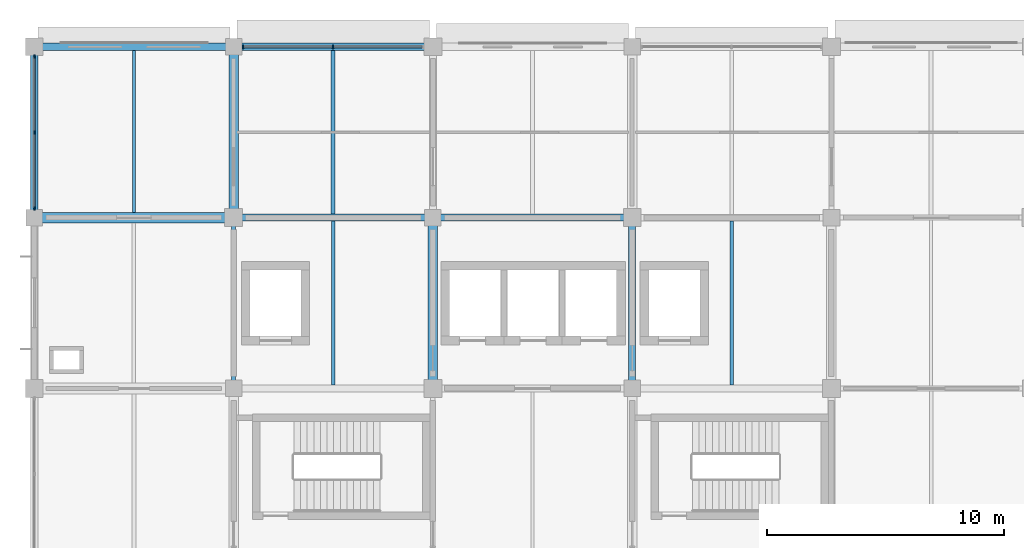
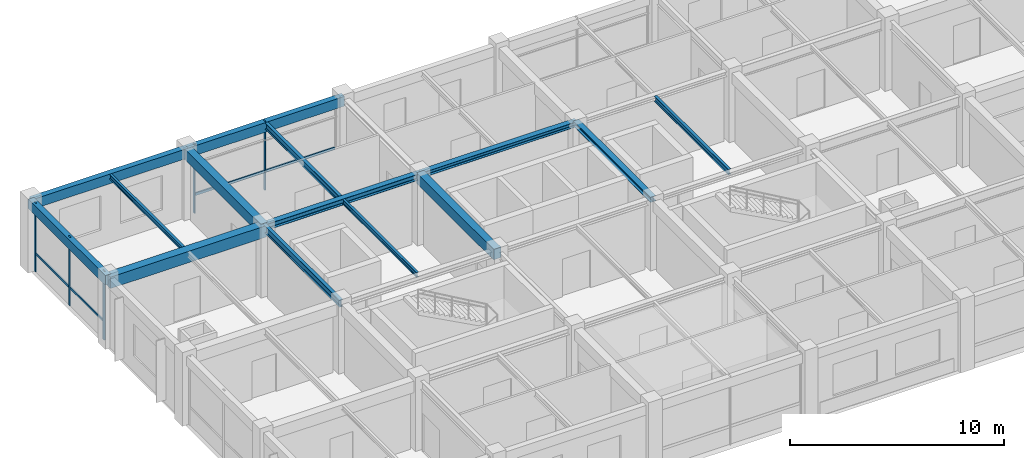
# One storey, part 4 of 14: 14 beams, 9 members, 2 elements without a shape of their own.
"""IFC4 building model written with IfcOpenShell, lengths in metres."""

from ifc_helpers import new_model, si_unit, derived_unit, direction, frame, origin, origin_2d, place, context, subcontext, project, spatial, rectangle, i_section, extrude, material, material_profile, profile_set, type_object, element, aggregate, save


model = new_model("IFC4")

# Units and contexts
model_context = context("Model", 3, precision=1e-05, world=origin(), true_north=direction((0.0, 1.0)))
body_context = subcontext(model_context, "Body", "Model", "MODEL_VIEW")
ifc_project = project(units=[si_unit("LENGTHUNIT", "METRE"), si_unit("AREAUNIT", "SQUARE_METRE"), si_unit("VOLUMEUNIT", "CUBIC_METRE"), si_unit("PLANEANGLEUNIT", "RADIAN"), si_unit("MASSUNIT", "GRAM", prefix="KILO"), derived_unit("THERMALTRANSMITTANCEUNIT", [(si_unit("MASSUNIT", "GRAM", prefix="KILO"), 1), (si_unit("TIMEUNIT", "SECOND"), -3), (si_unit("THERMODYNAMICTEMPERATUREUNIT", "KELVIN"), -1)])], contexts=[model_context])

# Site, building, storey
site_placement = place(None, origin())
site = spatial("IfcSite", under=ifc_project, at=site_placement, CompositionType="ELEMENT")
building_placement = place(site_placement, origin())
building = spatial("IfcBuilding", under=site, at=building_placement, Name="Veldstrom Oceanarium and Marine Research Institute", CompositionType="ELEMENT")
storey_placement = place(building_placement, frame((0.0, 0.0, 35.39990234375)))
storey = spatial("IfcBuildingStorey", under=building, at=storey_placement, Name="L07", CompositionType="ELEMENT", Elevation=35.39990234375)

# Curtain wall, members
ifc_material_1 = material(Name="Anodised Aluminium Framing", Category="aluminium")
curtain_wall_type_1 = type_object("IfcCurtainWallType", Name="ARC-CW-CW08", PredefinedType="USERDEFINED", material=ifc_material_1)
curtain_wall_1_placement = place(storey_placement, origin())
curtain_wall_1 = element("IfcCurtainWall", 1, at=curtain_wall_1_placement, inside=storey, type_object=curtain_wall_type_1, Name="Curtain Wall CW08 CW-L07-114", ObjectType="Curtain wall", PredefinedType="USERDEFINED")
ifc_material_2 = material(Name="Anodised Aluminium Framing", Category="aluminium")
ifc_material_profile_1 = material_profile(ifc_material_2, rectangle(XDim=0.06494140625, YDim=0.14990234375, at=origin_2d()), Name="ALU-MUL-65x150")
ifc_profile_set_1 = profile_set([ifc_material_profile_1], Name="Anodised Aluminium Framing")
member_type_1 = type_object("IfcMemberType", Name="ARC-MUL-ML2", PredefinedType="MULLION", material=ifc_profile_set_1)
member_1_placement = place(storey_placement, frame((67.199951171875, 65.18994140625, 0.0), z_axis=(0.0, 0.0, 1.0), x_axis=(1.0, 0.0, 0.0)))
member_1 = element("IfcMember", 2, at=member_1_placement, type_object=member_type_1, Name="Curtain Wall Mullion CW-L07-114-MUL-1", PredefinedType="MULLION", context=body_context, shape_type="SweptSolid", body=[
    extrude(rectangle(XDim=0.06494140625, YDim=0.14990234375, at=origin_2d()), origin(), (0.0, 0.0, 1.0), 3.920166015625),
])
member_2_placement = place(storey_placement, frame((67.199951171875, 68.387451171875, 0.0), z_axis=(0.0, 0.0, 1.0), x_axis=(1.0, 0.0, 0.0)))
member_2 = element("IfcMember", 3, at=member_2_placement, type_object=member_type_1, Name="Curtain Wall Mullion CW-L07-114-MUL-2", PredefinedType="MULLION", context=body_context, shape_type="SweptSolid", body=[
    extrude(rectangle(XDim=0.06494140625, YDim=0.14990234375, at=origin_2d()), origin(), (0.0, 0.0, 1.0), 3.920166015625),
])
member_3_placement = place(storey_placement, frame((67.199951171875, 71.5849609375, 0.0), z_axis=(0.0, 0.0, 1.0), x_axis=(1.0, 0.0, 0.0)))
member_3 = element("IfcMember", 4, at=member_3_placement, type_object=member_type_1, Name="Curtain Wall Mullion CW-L07-114-MUL-3", PredefinedType="MULLION", context=body_context, shape_type="SweptSolid", body=[
    extrude(rectangle(XDim=0.06494140625, YDim=0.14990234375, at=origin_2d()), origin(), (0.0, 0.0, 1.0), 3.920166015625),
])

ifc_material_3 = material(Name="Anodised Aluminium Framing", Category="aluminium")
curtain_wall_type_2 = type_object("IfcCurtainWallType", Name="ARC-CW-CW04", PredefinedType="USERDEFINED", material=ifc_material_3)
curtain_wall_2_placement = place(storey_placement, origin())
curtain_wall_2 = element("IfcCurtainWall", 5, at=curtain_wall_2_placement, inside=storey, type_object=curtain_wall_type_2, Name="Curtain Wall CW04 CW-L07-115", ObjectType="Curtain wall", PredefinedType="USERDEFINED")
member_4_placement = place(storey_placement, frame((75.989990234375, 72.0, 0.0), z_axis=(0.0, 0.0, 1.0), x_axis=(1.0, 0.0, 0.0)))
member_4 = element("IfcMember", 6, at=member_4_placement, type_object=member_type_1, Name="Curtain Wall Mullion CW-L07-115-MUL-1", PredefinedType="MULLION", context=body_context, shape_type="SweptSolid", body=[
    extrude(rectangle(XDim=0.06494140625, YDim=0.14990234375, at=origin_2d()), origin(), (0.0, 0.0, 1.0), 3.920166015625),
])
member_5_placement = place(storey_placement, frame((79.78759765625, 72.0, 0.0), z_axis=(0.0, 0.0, 1.0), x_axis=(1.0, 0.0, 0.0)))
member_5 = element("IfcMember", 7, at=member_5_placement, type_object=member_type_1, Name="Curtain Wall Mullion CW-L07-115-MUL-2", PredefinedType="MULLION", context=body_context, shape_type="SweptSolid", body=[
    extrude(rectangle(XDim=0.06494140625, YDim=0.14990234375, at=origin_2d()), origin(), (0.0, 0.0, 1.0), 3.920166015625),
])
ifc_material_4 = material(Name="Anodised Aluminium Framing", Category="aluminium")
ifc_material_profile_2 = material_profile(ifc_material_4, rectangle(XDim=0.074951171875, YDim=0.14990234375, at=origin_2d()), Name="ALU-TRN-75x150")
ifc_profile_set_2 = profile_set([ifc_material_profile_2], Name="Anodised Aluminium Framing")
member_type_2 = type_object("IfcMemberType", Name="ARC-TRN-TR1", PredefinedType="USERDEFINED", material=ifc_profile_set_2)
member_6_placement = place(storey_placement, frame((76.030029296875, 72.0, 1.050048828125), z_axis=(1.0, 0.0, 0.0), x_axis=(0.0, 1.0, 0.0)))
member_6 = element("IfcMember", 8, at=member_6_placement, type_object=member_type_2, Name="Curtain Wall Transom CW-L07-115-TRN-1", ObjectType="Transom", PredefinedType="USERDEFINED", context=body_context, shape_type="SweptSolid", body=[
    extrude(rectangle(XDim=0.074951171875, YDim=0.14990234375, at=origin_2d()), origin(), (0.0, 0.0, 1.0), 3.717529296875),
])
member_7_placement = place(storey_placement, frame((79.827392578125, 72.0, 1.050048828125), z_axis=(1.0, 0.0, 0.0), x_axis=(0.0, 1.0, 0.0)))
member_7 = element("IfcMember", 9, at=member_7_placement, type_object=member_type_2, Name="Curtain Wall Transom CW-L07-115-TRN-2", ObjectType="Transom", PredefinedType="USERDEFINED", context=body_context, shape_type="SweptSolid", body=[
    extrude(rectangle(XDim=0.074951171875, YDim=0.14990234375, at=origin_2d()), origin(), (0.0, 0.0, 1.0), 3.717529296875),
])
aggregate(curtain_wall_2, [member_4, member_5, member_6, member_7])

# Member
ifc_material_5 = material(Name="Anodised Aluminium Framing", Category="aluminium")
ifc_material_profile_3 = material_profile(ifc_material_5, rectangle(XDim=0.06494140625, YDim=0.1201171875, at=origin_2d()), Name="ALU-TRN-65x120")
ifc_profile_set_3 = profile_set([ifc_material_profile_3], Name="Anodised Aluminium Framing")
member_type_3 = type_object("IfcMemberType", Name="ARC-TRN-TR2", PredefinedType="USERDEFINED", material=ifc_profile_set_3)
member_8_placement = place(storey_placement, frame((67.199951171875, 65.22998046875, 1.050048828125), z_axis=(0.0, 1.0, 0.0), x_axis=(-1.0, 0.0, 0.0)))
member_8 = element("IfcMember", 10, at=member_8_placement, type_object=member_type_3, Name="Curtain Wall Transom CW-L07-114-TRN-1", ObjectType="Transom", PredefinedType="USERDEFINED", context=body_context, shape_type="SweptSolid", body=[
    extrude(rectangle(XDim=0.06494140625, YDim=0.1201171875, at=origin_2d()), origin(), (0.0, 0.0, 1.0), 3.117431640625),
])

member_9_placement = place(storey_placement, frame((67.199951171875, 68.427490234375, 1.050048828125), z_axis=(0.0, 1.0, 0.0), x_axis=(-1.0, 0.0, 0.0)))
member_9 = element("IfcMember", 11, at=member_9_placement, type_object=member_type_3, Name="Curtain Wall Transom CW-L07-114-TRN-2", ObjectType="Transom", PredefinedType="USERDEFINED", context=body_context, shape_type="SweptSolid", body=[
    extrude(rectangle(XDim=0.06494140625, YDim=0.1201171875, at=origin_2d()), origin(), (0.0, 0.0, 1.0), 3.117431640625),
])

aggregate(curtain_wall_1, [member_1, member_2, member_3, member_8, member_9])

# Beams
ifc_material_6 = material(Name="Concrete C40/50", Category="concrete")
ifc_material_profile_4 = material_profile(ifc_material_6, rectangle(XDim=0.449951171875, YDim=0.64990234375, at=origin_2d()), Name="RC-BM-450x650")
ifc_profile_set_4 = profile_set([ifc_material_profile_4], Name="Concrete C40/50")
beam_type_1 = type_object("IfcBeamType", Name="STR-BM-B05", PredefinedType="BEAM", material=ifc_profile_set_4)
beam_1_placement = place(storey_placement, frame((67.199951171875, 64.800048828125, 3.590087890625), z_axis=(1.0, 0.0, 0.0), x_axis=(0.0, 1.0, 0.0)))
element("IfcBeam", 12, at=beam_1_placement, inside=storey, type_object=beam_type_1, Name="Primary Beam B05 L07-2335", PredefinedType="BEAM", context=body_context, shape_type="SweptSolid", body=[
    extrude(rectangle(XDim=0.449951171875, YDim=0.64990234375, at=origin_2d()), origin(), (0.0, 0.0, 1.0), 8.400146484375),
])
ifc_material_7 = material(Name="Concrete C40/50", Category="concrete")
ifc_material_profile_5 = material_profile(ifc_material_7, rectangle(XDim=0.39990234375, YDim=0.60009765625, at=origin_2d()), Name="RC-BM-400x600")
ifc_profile_set_5 = profile_set([ifc_material_profile_5], Name="Concrete C40/50")
beam_type_2 = type_object("IfcBeamType", Name="STR-BM-B06", PredefinedType="BEAM", material=ifc_profile_set_5)
for number, where, z_axis, x_axis, name in (
    (13, (75.60009765625, 64.800048828125, 3.614990234375), (0.0, 1.0, 0.0), (-1.0, 0.0, 0.0), "Primary Beam B06 L07-2368"),
    (14, (84.0, 57.60009765625, 3.614990234375), (0.0, 1.0, 0.0), (-1.0, 0.0, 0.0), "Primary Beam B06 L07-2371"),
):
    element("IfcBeam", number, at=place(storey_placement, frame(where, z_axis=z_axis, x_axis=x_axis)), inside=storey, type_object=beam_type_2, Name=name, PredefinedType="BEAM", context=body_context, shape_type="SweptSolid", body=[
        extrude(rectangle(XDim=0.39990234375, YDim=0.60009765625, at=origin_2d()), origin(), (0.0, 0.0, 1.0), 7.199951171875),
    ])
ifc_material_8 = material(Name="Steel S355JR", Category="steel")
ifc_material_profile_6 = material_profile(ifc_material_8, i_section(OverallWidth=0.300048828125, OverallDepth=0.2900390625, WebThickness=0.008544921875, FlangeThickness=0.013916015625, FilletRadius=0.027099609375, at=origin_2d()), Name="HEA 300")
ifc_profile_set_6 = profile_set([ifc_material_profile_6], Name="Steel S355JR")
beam_type_3 = type_object("IfcBeamType", Name="STR-BM-SB10", PredefinedType="BEAM", material=ifc_profile_set_6)
beam_2_placement = place(storey_placement, frame((84.0, 64.800048828125, 3.77001953125), z_axis=(1.0, 0.0, 0.0), x_axis=(0.0, 1.0, 0.0)))
element("IfcBeam", 15, at=beam_2_placement, inside=storey, type_object=beam_type_3, Name="Steel Floor Girder SB10 L07-2345", PredefinedType="BEAM", context=body_context, shape_type="SweptSolid", body=[
    extrude(i_section(OverallWidth=0.300048828125, OverallDepth=0.2900390625, WebThickness=0.008544921875, FlangeThickness=0.013916015625, FilletRadius=0.027099609375, at=origin_2d()), origin(), (0.0, 0.0, 1.0), 8.39990234375),
])
beam_3_placement = place(storey_placement, frame((92.39990234375, 57.60009765625, 3.77001953125), z_axis=(0.0, 1.0, 0.0), x_axis=(-1.0, 0.0, 0.0)))
element("IfcBeam", 16, at=beam_3_placement, inside=storey, type_object=beam_type_3, Name="Steel Tie Beam SB10 L07-2375", PredefinedType="BEAM", context=body_context, shape_type="SweptSolid", body=[
    extrude(i_section(OverallWidth=0.300048828125, OverallDepth=0.2900390625, WebThickness=0.008544921875, FlangeThickness=0.013916015625, FilletRadius=0.027099609375, at=origin_2d()), origin(), (0.0, 0.0, 1.0), 7.199951171875),
])
ifc_material_9 = material(Name="Steel S355JR", Category="steel")
ifc_material_profile_7 = material_profile(ifc_material_9, i_section(OverallWidth=0.179931640625, OverallDepth=0.39990234375, WebThickness=0.008544921875, FlangeThickness=0.013427734375, FilletRadius=0.02099609375, at=origin_2d()), Name="IPE 400")
ifc_profile_set_7 = profile_set([ifc_material_profile_7], Name="Steel S355JR")
beam_type_4 = type_object("IfcBeamType", Name="STR-BM-SB8", PredefinedType="BEAM", material=ifc_profile_set_7)
beam_4_placement = place(storey_placement, frame((75.60009765625, 57.60009765625, 3.715087890625), z_axis=(0.0, 1.0, 0.0), x_axis=(-1.0, 0.0, 0.0)))
element("IfcBeam", 17, at=beam_4_placement, inside=storey, type_object=beam_type_4, Name="Steel Tie Beam SB8 L07-2367", PredefinedType="BEAM", context=body_context, shape_type="SweptSolid", body=[
    extrude(i_section(OverallWidth=0.179931640625, OverallDepth=0.39990234375, WebThickness=0.008544921875, FlangeThickness=0.013427734375, FilletRadius=0.02099609375, at=origin_2d()), origin(), (0.0, 0.0, 1.0), 7.199951171875),
])
ifc_material_10 = material(Name="Steel S355JR", Category="steel")
ifc_material_profile_8 = material_profile(ifc_material_10, i_section(OverallWidth=0.300048828125, OverallDepth=0.35009765625, WebThickness=0.010009765625, FlangeThickness=0.017578125, FilletRadius=0.027099609375, at=origin_2d()), Name="HEA 360")
ifc_profile_set_8 = profile_set([ifc_material_profile_8], Name="Steel S355JR")
beam_type_5 = type_object("IfcBeamType", Name="STR-BM-SB9", PredefinedType="BEAM", material=ifc_profile_set_8)
beam_5_placement = place(storey_placement, frame((75.60009765625, 64.800048828125, 3.739990234375), z_axis=(1.0, 0.0, 0.0), x_axis=(0.0, 1.0, 0.0)))
element("IfcBeam", 18, at=beam_5_placement, inside=storey, type_object=beam_type_5, Name="Steel Floor Girder SB9 L07-2340", PredefinedType="BEAM", context=body_context, shape_type="SweptSolid", body=[
    extrude(i_section(OverallWidth=0.300048828125, OverallDepth=0.35009765625, WebThickness=0.010009765625, FlangeThickness=0.017578125, FilletRadius=0.027099609375, at=origin_2d()), origin(), (0.0, 0.0, 1.0), 8.39990234375),
])
ifc_material_11 = material(Name="Steel S355JR", Category="steel")
ifc_material_profile_9 = material_profile(ifc_material_11, i_section(OverallWidth=0.169921875, OverallDepth=0.360107421875, WebThickness=0.008056640625, FlangeThickness=0.0126953125, FilletRadius=0.01806640625, at=origin_2d()), Name="IPE 360")
ifc_profile_set_9 = profile_set([ifc_material_profile_9], Name="Steel S355JR")
beam_type_6 = type_object("IfcBeamType", Name="STR-JST-SJ1", PredefinedType="JOIST", material=ifc_profile_set_9)
beam_6_placement = place(storey_placement, frame((79.800048828125, 64.949951171875, 3.735107421875), z_axis=(0.0, 1.0, 0.0), x_axis=(-1.0, 0.0, 0.0)))
element("IfcBeam", 19, at=beam_6_placement, inside=storey, type_object=beam_type_6, Name="Secondary Joist SJ1 L07-2394", PredefinedType="JOIST", context=body_context, shape_type="SweptSolid", body=[
    extrude(i_section(OverallWidth=0.169921875, OverallDepth=0.360107421875, WebThickness=0.008056640625, FlangeThickness=0.0126953125, FilletRadius=0.01806640625, at=origin_2d()), origin(), (0.0, 0.0, 1.0), 6.900146484375),
])
ifc_material_12 = material(Name="Steel S355JR", Category="steel")
ifc_material_profile_10 = material_profile(ifc_material_12, i_section(OverallWidth=0.14990234375, OverallDepth=0.300048828125, WebThickness=0.007080078125, FlangeThickness=0.0107421875, FilletRadius=0.014892578125, at=origin_2d()), Name="IPE 300")
ifc_profile_set_10 = profile_set([ifc_material_profile_10], Name="Steel S355JR")
beam_type_7 = type_object("IfcBeamType", Name="STR-JST-SJ2", PredefinedType="JOIST", material=ifc_profile_set_10)
beam_7_placement = place(storey_placement, frame((96.60009765625, 57.739990234375, 3.76513671875), z_axis=(0.0, 1.0, 0.0), x_axis=(-1.0, 0.0, 0.0)))
element("IfcBeam", 20, at=beam_7_placement, inside=storey, type_object=beam_type_7, Name="Secondary Joist SJ2 L07-2399", PredefinedType="JOIST", context=body_context, shape_type="SweptSolid", body=[
    extrude(i_section(OverallWidth=0.14990234375, OverallDepth=0.300048828125, WebThickness=0.007080078125, FlangeThickness=0.0107421875, FilletRadius=0.014892578125, at=origin_2d()), origin(), (0.0, 0.0, 1.0), 6.919921875),
])
ifc_material_13 = material(Name="Steel S355JR", Category="steel")
ifc_material_profile_11 = material_profile(ifc_material_13, i_section(OverallWidth=0.135009765625, OverallDepth=0.27001953125, WebThickness=0.006591796875, FlangeThickness=0.01025390625, FilletRadius=0.014892578125, at=origin_2d()), Name="IPE 270")
ifc_profile_set_11 = profile_set([ifc_material_profile_11], Name="Steel S355JR")
beam_type_8 = type_object("IfcBeamType", Name="STR-JST-SJ3", PredefinedType="JOIST", material=ifc_profile_set_11)
beam_8_placement = place(storey_placement, frame((71.39990234375, 65.02490234375, 3.780029296875), z_axis=(0.0, 1.0, 0.0), x_axis=(-1.0, 0.0, 0.0)))
element("IfcBeam", 21, at=beam_8_placement, inside=storey, type_object=beam_type_8, Name="Secondary Joist SJ3 L07-2391", PredefinedType="JOIST", context=body_context, shape_type="SweptSolid", body=[
    extrude(i_section(OverallWidth=0.135009765625, OverallDepth=0.27001953125, WebThickness=0.006591796875, FlangeThickness=0.01025390625, FilletRadius=0.014892578125, at=origin_2d()), origin(), (0.0, 0.0, 1.0), 6.8251953125),
])
beam_9_placement = place(storey_placement, frame((79.800048828125, 57.75, 3.780029296875), z_axis=(0.0, 1.0, 0.0), x_axis=(-1.0, 0.0, 0.0)))
element("IfcBeam", 22, at=beam_9_placement, inside=storey, type_object=beam_type_8, Name="Secondary Joist SJ3 L07-2393", PredefinedType="JOIST", context=body_context, shape_type="SweptSolid", body=[
    extrude(i_section(OverallWidth=0.135009765625, OverallDepth=0.27001953125, WebThickness=0.006591796875, FlangeThickness=0.01025390625, FilletRadius=0.014892578125, at=origin_2d()), origin(), (0.0, 0.0, 1.0), 6.89990234375),
])
ifc_material_14 = material(Name="Concrete C40/50", Category="concrete")
ifc_material_profile_12 = material_profile(ifc_material_14, rectangle(XDim=0.300048828125, YDim=0.550048828125, at=origin_2d()), Name="RC-SPN-300x550")
ifc_profile_set_12 = profile_set([ifc_material_profile_12], Name="Concrete C40/50")
beam_type_9 = type_object("IfcBeamType", Name="STR-SPN-SP2", PredefinedType="SPANDREL", material=ifc_profile_set_12)
beam_10_placement = place(storey_placement, frame((67.199951171875, 72.0, 3.64013671875), z_axis=(1.0, 0.0, 0.0), x_axis=(0.0, 1.0, 0.0)))
element("IfcBeam", 23, at=beam_10_placement, inside=storey, type_object=beam_type_9, Name="Perimeter Spandrel SPB2 L07-2336", PredefinedType="SPANDREL", context=body_context, shape_type="SweptSolid", body=[
    extrude(rectangle(XDim=0.300048828125, YDim=0.550048828125, at=origin_2d()), origin(), (0.0, 0.0, 1.0), 8.400146484375),
])
beam_11_placement = place(storey_placement, frame((75.60009765625, 72.0, 3.64013671875), z_axis=(1.0, 0.0, 0.0), x_axis=(0.0, 1.0, 0.0)))
element("IfcBeam", 24, at=beam_11_placement, inside=storey, type_object=beam_type_9, Name="Perimeter Spandrel SPB2 L07-2341", PredefinedType="SPANDREL", context=body_context, shape_type="SweptSolid", body=[
    extrude(rectangle(XDim=0.300048828125, YDim=0.550048828125, at=origin_2d()), origin(), (0.0, 0.0, 1.0), 8.39990234375),
])
beam_12_placement = place(storey_placement, frame((67.199951171875, 64.800048828125, 3.64013671875), z_axis=(0.0, 1.0, 0.0), x_axis=(-1.0, 0.0, 0.0)))
element("IfcBeam", 25, at=beam_12_placement, inside=storey, type_object=beam_type_9, Name="Perimeter Spandrel SPB2 L07-2364", PredefinedType="SPANDREL", context=body_context, shape_type="SweptSolid", body=[
    extrude(rectangle(XDim=0.300048828125, YDim=0.550048828125, at=origin_2d()), origin(), (0.0, 0.0, 1.0), 7.199951171875),
])

save(model, "model.ifc")
